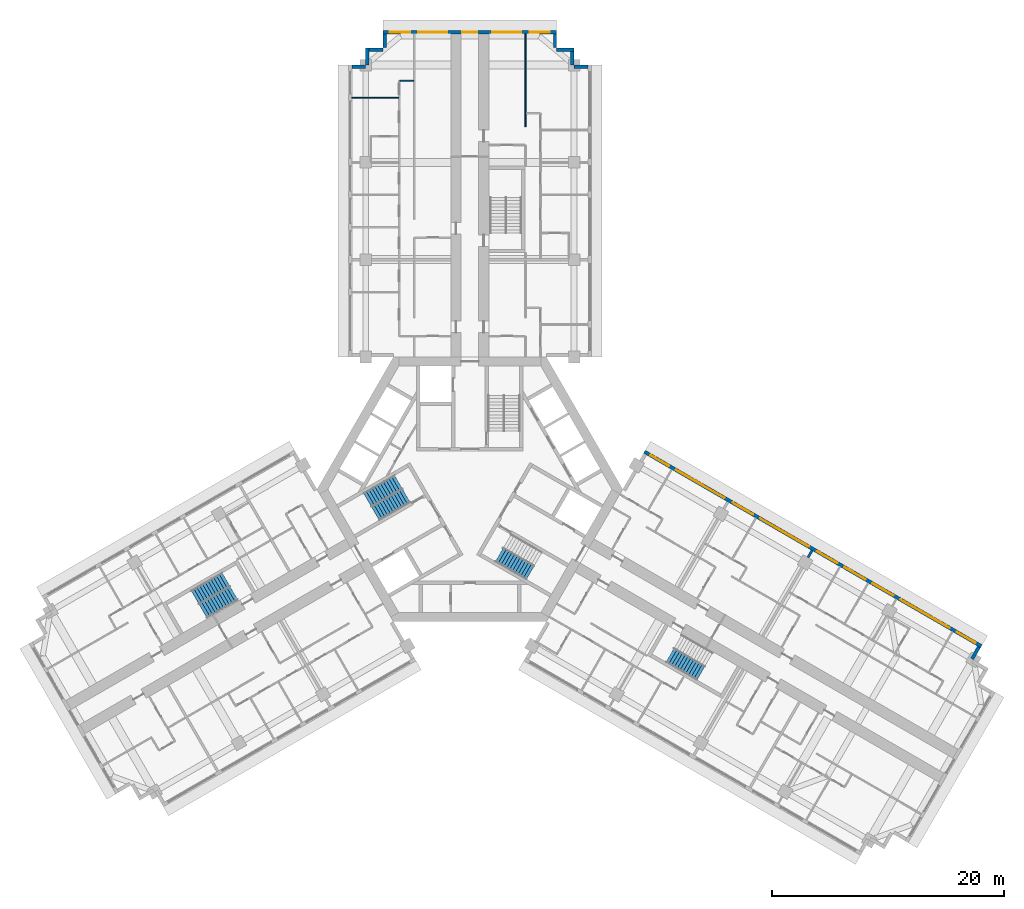
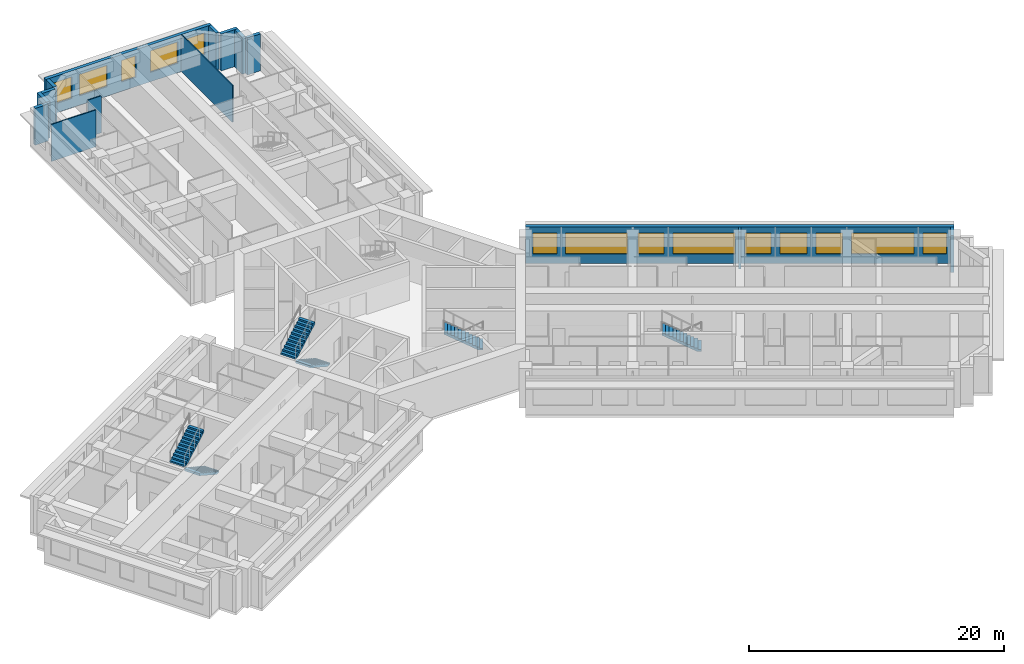
# One storey, part 12 of 14: 15 walls, 14 windows, 6 stair flights, 14 openings, 4 elements without a shape of their own.
"""IFC4 building model written with IfcOpenShell, lengths in metres."""

from ifc_helpers import new_model, si_unit, direction, frame, frame_2d, origin, place, context, subcontext, project, spatial, polyline, rectangle, outline, extrude, material, layer, layer_set, type_object, element, fill, aggregate, save


model = new_model("IFC4")

# Units and contexts
model_context = context("Model", 3, precision=1e-05, world=origin(), true_north=direction((0.0, 1.0)))
body_context = subcontext(model_context, "Body", "Model", "MODEL_VIEW")
ifc_project = project(units=[si_unit("LENGTHUNIT", "METRE"), si_unit("AREAUNIT", "SQUARE_METRE"), si_unit("VOLUMEUNIT", "CUBIC_METRE"), si_unit("PLANEANGLEUNIT", "RADIAN"), si_unit("MASSUNIT", "GRAM", prefix="KILO")], contexts=[model_context])

# Site, building, storey
site_placement = place(None, origin())
site = spatial("IfcSite", under=ifc_project, at=site_placement, CompositionType="ELEMENT")
building_placement = place(site_placement, origin())
building = spatial("IfcBuilding", under=site, at=building_placement, Name="Impinga Residences", CompositionType="ELEMENT")
storey_placement = place(building_placement, frame((0.0, 0.0, 154.75)))
storey = spatial("IfcBuildingStorey", under=building, at=storey_placement, Name="L38", CompositionType="ELEMENT", Elevation=154.75)

# Walls
ifc_material_1 = material(Name="Terracotta rainscreen on blockwork", Category="masonry")
ifc_layer_1 = layer(ifc_material_1, 0.300048828125)
ifc_layer_set_1 = layer_set([ifc_layer_1], Name="EW1 external wall, terracotta rainscreen on blockwork 300")
wall_type_1 = type_object("IfcWallType", Name="EW1 external wall, terracotta rainscreen on blockwork 300", PredefinedType="SOLIDWALL", material=ifc_layer_set_1)
wall_1_placement = place(storey_placement, frame((43.968505859375, -13.607421875, 0.0), z_axis=(0.0, 0.0, 1.0), x_axis=(-0.500029051137, -0.866008630453, 0.0)))
element("IfcWall", 1, at=wall_1_placement, inside=storey, type_object=wall_type_1, Name="External wall EW1 L38", PredefinedType="SOLIDWALL", context=body_context, shape_type="SweptSolid", body=[
    extrude(rectangle(XDim=1.19482421875, YDim=0.300048828125, at=frame_2d((0.597412109375, 0.0))), origin(), (0.0, 0.0, 1.0), 3.530029296875),
])
wall_2_placement = place(storey_placement, frame((-10.199951171875, 36.4814453125, 0.0), z_axis=(0.0, 0.0, 1.0), x_axis=(1.0, 0.0, 0.0)))
element("IfcWall", 2, at=wall_2_placement, inside=storey, type_object=wall_type_1, Name="External wall EW1 L38", PredefinedType="SOLIDWALL", context=body_context, shape_type="SweptSolid", body=[
    extrude(rectangle(XDim=1.199951171875, YDim=0.300048828125, at=frame_2d((0.60009765625, 0.0))), origin(), (0.0, 0.0, 1.0), 3.530029296875),
])
wall_3_placement = place(storey_placement, frame((-8.85009765625, 36.636474609375, 0.0), z_axis=(0.0, 0.0, 1.0), x_axis=(0.0, 1.0, 0.0)))
element("IfcWall", 3, at=wall_3_placement, inside=storey, type_object=wall_type_1, Name="External wall EW1 L38", PredefinedType="SOLIDWALL", context=body_context, shape_type="SweptSolid", body=[
    extrude(rectangle(XDim=1.4951171875, YDim=0.300048828125, at=frame_2d((0.74755859375, 0.0))), origin(), (0.0, 0.0, 1.0), 3.530029296875),
])
wall_4_placement = place(storey_placement, frame((-8.699951171875, 37.9814453125, 0.0), z_axis=(0.0, 0.0, 1.0), x_axis=(1.0, 0.0, 0.0)))
element("IfcWall", 4, at=wall_4_placement, inside=storey, type_object=wall_type_1, Name="External wall EW1 L38", PredefinedType="SOLIDWALL", context=body_context, shape_type="SweptSolid", body=[
    extrude(rectangle(XDim=1.199951171875, YDim=0.300048828125, at=frame_2d((0.60009765625, 0.0))), origin(), (0.0, 0.0, 1.0), 3.530029296875),
])
wall_5_placement = place(storey_placement, frame((-7.35009765625, 38.136474609375, 0.0), z_axis=(0.0, 0.0, 1.0), x_axis=(0.0, 1.0, 0.0)))
element("IfcWall", 5, at=wall_5_placement, inside=storey, type_object=wall_type_1, Name="External wall EW1 L38", PredefinedType="SOLIDWALL", context=body_context, shape_type="SweptSolid", body=[
    extrude(rectangle(XDim=1.195068359375, YDim=0.300048828125, at=frame_2d((0.59765625, 0.0))), origin(), (0.0, 0.0, 1.0), 3.530029296875),
])

# Wall, openings, windows
wall_6_placement = place(storey_placement, frame((-7.5, 39.4814453125, 0.0), z_axis=(0.0, 0.0, 1.0), x_axis=(1.0, 0.0, 0.0)))
wall_6 = element("IfcWall", 6, at=wall_6_placement, inside=storey, type_object=wall_type_1, Name="External wall EW1 L38", PredefinedType="SOLIDWALL", context=body_context, shape_type="SweptSolid", body=[
    extrude(rectangle(XDim=15.0, YDim=0.300048828125, at=frame_2d((7.5, 0.0))), origin(), (0.0, 0.0, 1.0), 3.530029296875),
])
opening_1_placement = place(wall_6_placement, frame((0.60009765625, 0.0, 0.89990234375)))
opening_1 = element("IfcOpeningElement", 7, at=opening_1_placement, cuts=wall_6, Name="Opening W1", PredefinedType="OPENING", context=body_context, shape_type="SweptSolid", body=[
    extrude(rectangle(XDim=1.75, YDim=2.050048828125, at=frame_2d((0.875, 1.02490234375))), frame((0.0, 0.159912109375, 0.0), z_axis=(0.0, -1.0, 0.0), x_axis=(1.0, 0.0, 0.0)), (0.0, 0.0, 1.0), 0.320068359375),
])
opening_2_placement = place(wall_6_placement, frame((3.050048828125, 0.0, 0.89990234375)))
opening_2 = element("IfcOpeningElement", 8, at=opening_2_placement, cuts=wall_6, Name="Opening W2", PredefinedType="OPENING", context=body_context, shape_type="SweptSolid", body=[
    extrude(rectangle(XDim=2.5, YDim=2.050048828125, at=frame_2d((1.25, 1.02490234375))), frame((0.0, 0.159912109375, 0.0), z_axis=(0.0, -1.0, 0.0), x_axis=(1.0, 0.0, 0.0)), (0.0, 0.0, 1.0), 0.320068359375),
])
opening_3_placement = place(wall_6_placement, frame((6.85009765625, 0.0, 0.89990234375)))
opening_3 = element("IfcOpeningElement", 9, at=opening_3_placement, cuts=wall_6, Name="Opening WE1", PredefinedType="OPENING", context=body_context, shape_type="SweptSolid", body=[
    extrude(rectangle(XDim=1.300048828125, YDim=2.050048828125, at=frame_2d((0.64990234375, 1.02490234375))), frame((0.0, 0.159912109375, 0.0), z_axis=(0.0, -1.0, 0.0), x_axis=(1.0, 0.0, 0.0)), (0.0, 0.0, 1.0), 0.320068359375),
])
opening_4_placement = place(wall_6_placement, frame((9.449951171875, 0.0, 0.89990234375)))
opening_4 = element("IfcOpeningElement", 10, at=opening_4_placement, cuts=wall_6, Name="Opening W2", PredefinedType="OPENING", context=body_context, shape_type="SweptSolid", body=[
    extrude(rectangle(XDim=2.5, YDim=2.050048828125, at=frame_2d((1.25, 1.02490234375))), frame((0.0, 0.159912109375, 0.0), z_axis=(0.0, -1.0, 0.0), x_axis=(1.0, 0.0, 0.0)), (0.0, 0.0, 1.0), 0.320068359375),
])
opening_5_placement = place(wall_6_placement, frame((12.64990234375, 0.0, 0.89990234375)))
opening_5 = element("IfcOpeningElement", 11, at=opening_5_placement, cuts=wall_6, Name="Opening W1", PredefinedType="OPENING", context=body_context, shape_type="SweptSolid", body=[
    extrude(rectangle(XDim=1.75, YDim=2.050048828125, at=frame_2d((0.875, 1.02490234375))), frame((0.0, 0.159912109375, 0.0), z_axis=(0.0, -1.0, 0.0), x_axis=(1.0, 0.0, 0.0)), (0.0, 0.0, 1.0), 0.320068359375),
])
ifc_material_2 = material(Name="Aluminium window, clear double glazing", Category="aluminium")
window_type_1 = type_object("IfcWindowType", Name="W1 ribbon window 1750x2050", PartitioningType="SINGLE_PANEL", PredefinedType="WINDOW", material=ifc_material_2)
window_1_placement = place(opening_1_placement, origin())
window_1 = element("IfcWindow", 12, at=window_1_placement, inside=storey, type_object=window_type_1, Name="Window L38", OverallHeight=2.050048828125, OverallWidth=1.75, PartitioningType="SINGLE_PANEL", PredefinedType="WINDOW", context=body_context, shape_type="SweptSolid", body=[
    extrude(rectangle(XDim=1.75, YDim=2.050048828125, at=frame_2d((0.875, 1.02490234375))), frame((0.0, 0.030029296875, 0.0), z_axis=(0.0, -1.0, 0.0), x_axis=(1.0, 0.0, 0.0)), (0.0, 0.0, 1.0), 0.06005859375),
])
fill(opening_1, window_1)
window_2_placement = place(opening_5_placement, origin())
window_2 = element("IfcWindow", 13, at=window_2_placement, inside=storey, type_object=window_type_1, Name="Window L38", OverallHeight=2.050048828125, OverallWidth=1.75, PartitioningType="SINGLE_PANEL", PredefinedType="WINDOW", context=body_context, shape_type="SweptSolid", body=[
    extrude(rectangle(XDim=1.75, YDim=2.050048828125, at=frame_2d((0.875, 1.02490234375))), frame((0.0, 0.030029296875, 0.0), z_axis=(0.0, -1.0, 0.0), x_axis=(1.0, 0.0, 0.0)), (0.0, 0.0, 1.0), 0.06005859375),
])
fill(opening_5, window_2)
window_type_2 = type_object("IfcWindowType", Name="W2 ribbon window 2500x2050", PartitioningType="SINGLE_PANEL", PredefinedType="WINDOW", material=ifc_material_2)
window_3_placement = place(opening_2_placement, origin())
window_3 = element("IfcWindow", 14, at=window_3_placement, inside=storey, type_object=window_type_2, Name="Window L38", OverallHeight=2.050048828125, OverallWidth=2.5, PartitioningType="SINGLE_PANEL", PredefinedType="WINDOW", context=body_context, shape_type="SweptSolid", body=[
    extrude(rectangle(XDim=2.5, YDim=2.050048828125, at=frame_2d((1.25, 1.02490234375))), frame((0.0, 0.030029296875, 0.0), z_axis=(0.0, -1.0, 0.0), x_axis=(1.0, 0.0, 0.0)), (0.0, 0.0, 1.0), 0.06005859375),
])
fill(opening_2, window_3)
window_4_placement = place(opening_4_placement, origin())
window_4 = element("IfcWindow", 15, at=window_4_placement, inside=storey, type_object=window_type_2, Name="Window L38", OverallHeight=2.050048828125, OverallWidth=2.5, PartitioningType="SINGLE_PANEL", PredefinedType="WINDOW", context=body_context, shape_type="SweptSolid", body=[
    extrude(rectangle(XDim=2.5, YDim=2.050048828125, at=frame_2d((1.25, 1.02490234375))), frame((0.0, 0.030029296875, 0.0), z_axis=(0.0, -1.0, 0.0), x_axis=(1.0, 0.0, 0.0)), (0.0, 0.0, 1.0), 0.06005859375),
])
fill(opening_4, window_4)
window_type_3 = type_object("IfcWindowType", Name="WE1 corridor window 1300x2050", PartitioningType="SINGLE_PANEL", PredefinedType="WINDOW", material=ifc_material_2)
window_5_placement = place(opening_3_placement, origin())
window_5 = element("IfcWindow", 16, at=window_5_placement, inside=storey, type_object=window_type_3, Name="Window L38", OverallHeight=2.050048828125, OverallWidth=1.300048828125, PartitioningType="SINGLE_PANEL", PredefinedType="WINDOW", context=body_context, shape_type="SweptSolid", body=[
    extrude(rectangle(XDim=1.300048828125, YDim=2.050048828125, at=frame_2d((0.64990234375, 1.02490234375))), frame((0.0, 0.030029296875, 0.0), z_axis=(0.0, -1.0, 0.0), x_axis=(1.0, 0.0, 0.0)), (0.0, 0.0, 1.0), 0.06005859375),
])
fill(opening_3, window_5)

# Walls
wall_7_placement = place(storey_placement, frame((7.35009765625, 39.33154296875, 0.0), z_axis=(0.0, 0.0, 1.0), x_axis=(0.0, -1.0, 0.0)))
element("IfcWall", 17, at=wall_7_placement, inside=storey, type_object=wall_type_1, Name="External wall EW1 L38", PredefinedType="SOLIDWALL", context=body_context, shape_type="SweptSolid", body=[
    extrude(rectangle(XDim=1.195068359375, YDim=0.300048828125, at=frame_2d((0.59765625, 0.0))), origin(), (0.0, 0.0, 1.0), 3.530029296875),
])
wall_8_placement = place(storey_placement, frame((7.5, 37.9814453125, 0.0), z_axis=(0.0, 0.0, 1.0), x_axis=(1.0, 0.0, 0.0)))
element("IfcWall", 18, at=wall_8_placement, inside=storey, type_object=wall_type_1, Name="External wall EW1 L38", PredefinedType="SOLIDWALL", context=body_context, shape_type="SweptSolid", body=[
    extrude(rectangle(XDim=1.5, YDim=0.300048828125, at=frame_2d((0.75, 0.0))), origin(), (0.0, 0.0, 1.0), 3.530029296875),
])
wall_9_placement = place(storey_placement, frame((8.85009765625, 37.83154296875, 0.0), z_axis=(0.0, 0.0, 1.0), x_axis=(0.0, -1.0, 0.0)))
element("IfcWall", 19, at=wall_9_placement, inside=storey, type_object=wall_type_1, Name="External wall EW1 L38", PredefinedType="SOLIDWALL", context=body_context, shape_type="SweptSolid", body=[
    extrude(rectangle(XDim=1.199951171875, YDim=0.300048828125, at=frame_2d((0.60009765625, 0.0))), origin(), (0.0, 0.0, 1.0), 3.530029296875),
])
wall_10_placement = place(storey_placement, frame((9.0048828125, 36.4814453125, 0.0), z_axis=(0.0, 0.0, 1.0), x_axis=(1.0, 0.0, 0.0)))
element("IfcWall", 20, at=wall_10_placement, inside=storey, type_object=wall_type_1, Name="External wall EW1 L38", PredefinedType="SOLIDWALL", context=body_context, shape_type="SweptSolid", body=[
    extrude(rectangle(XDim=1.195068359375, YDim=0.300048828125, at=frame_2d((0.59765625, 0.0))), origin(), (0.0, 0.0, 1.0), 3.530029296875),
])

# Wall, openings, windows
wall_11_placement = place(storey_placement, frame((15.074951171875, 3.24755859375, 0.0), z_axis=(0.0, 0.0, 1.0), x_axis=(0.866024291668, -0.500001926238, 0.0)))
wall_11 = element("IfcWall", 21, at=wall_11_placement, inside=storey, type_object=wall_type_1, Name="External wall EW1 L38", PredefinedType="SOLIDWALL", context=body_context, shape_type="SweptSolid", body=[
    extrude(rectangle(XDim=33.599853515625, YDim=0.300048828125, at=frame_2d((16.7998046875, 0.0))), origin(), (0.0, 0.0, 1.0), 3.530029296875),
])
opening_6_placement = place(wall_11_placement, frame((0.60009765625, 0.0, 0.89990234375)))
opening_6 = element("IfcOpeningElement", 22, at=opening_6_placement, cuts=wall_11, Name="Opening W15", PredefinedType="OPENING", context=body_context, shape_type="SweptSolid", body=[
    extrude(rectangle(XDim=1.85009765625, YDim=2.050048828125, at=frame_2d((0.925048828125, 1.02490234375))), frame((0.0, 0.159912109375, 0.0), z_axis=(0.0, -1.0, 0.0), x_axis=(1.0, 0.0, 0.0)), (0.0, 0.0, 1.0), 0.320068359375),
])
opening_7_placement = place(wall_11_placement, frame((3.14990234375, 0.0, 0.89990234375)))
opening_7 = element("IfcOpeningElement", 23, at=opening_7_placement, cuts=wall_11, Name="Opening W6", PredefinedType="OPENING", context=body_context, shape_type="SweptSolid", body=[
    extrude(rectangle(XDim=4.85009765625, YDim=2.050048828125, at=frame_2d((2.425048828125, 1.02490234375))), frame((0.0, 0.159912109375, 0.0), z_axis=(0.0, -1.0, 0.0), x_axis=(1.0, 0.0, 0.0)), (0.0, 0.0, 1.0), 0.320068359375),
])
opening_8_placement = place(wall_11_placement, frame((8.800048828125, 0.0, 0.89990234375)))
opening_8 = element("IfcOpeningElement", 24, at=opening_8_placement, cuts=wall_11, Name="Opening W14", PredefinedType="OPENING", context=body_context, shape_type="SweptSolid", body=[
    extrude(rectangle(XDim=2.050048828125, YDim=2.050048828125, at=frame_2d((1.02490234375, 1.02490234375))), frame((0.0, 0.159912109375, 0.0), z_axis=(0.0, -1.0, 0.0), x_axis=(1.0, 0.0, 0.0)), (0.0, 0.0, 1.0), 0.320068359375),
])
opening_9_placement = place(wall_11_placement, frame((11.550048828125, 0.0, 0.89990234375)))
opening_9 = element("IfcOpeningElement", 25, at=opening_9_placement, cuts=wall_11, Name="Opening W6", PredefinedType="OPENING", context=body_context, shape_type="SweptSolid", body=[
    extrude(rectangle(XDim=4.85009765625, YDim=2.050048828125, at=frame_2d((2.425048828125, 1.02490234375))), frame((0.0, 0.159912109375, 0.0), z_axis=(0.0, -1.0, 0.0), x_axis=(1.0, 0.0, 0.0)), (0.0, 0.0, 1.0), 0.320068359375),
])
opening_10_placement = place(wall_11_placement, frame((17.199951171875, 0.0, 0.89990234375)))
opening_10 = element("IfcOpeningElement", 26, at=opening_10_placement, cuts=wall_11, Name="Opening W14", PredefinedType="OPENING", context=body_context, shape_type="SweptSolid", body=[
    extrude(rectangle(XDim=2.050048828125, YDim=2.050048828125, at=frame_2d((1.02490234375, 1.02490234375))), frame((0.0, 0.159912109375, 0.0), z_axis=(0.0, -1.0, 0.0), x_axis=(1.0, 0.0, 0.0)), (0.0, 0.0, 1.0), 0.320068359375),
])
opening_11_placement = place(wall_11_placement, frame((19.949951171875, 0.0, 0.89990234375)))
opening_11 = element("IfcOpeningElement", 27, at=opening_11_placement, cuts=wall_11, Name="Opening W9", PredefinedType="OPENING", context=body_context, shape_type="SweptSolid", body=[
    extrude(rectangle(XDim=2.10009765625, YDim=2.050048828125, at=frame_2d((1.050048828125, 1.02490234375))), frame((0.0, 0.159912109375, 0.0), z_axis=(0.0, -1.0, 0.0), x_axis=(1.0, 0.0, 0.0)), (0.0, 0.0, 1.0), 0.320068359375),
])
opening_12_placement = place(wall_11_placement, frame((22.75, 0.0, 0.89990234375)))
opening_12 = element("IfcOpeningElement", 28, at=opening_12_placement, cuts=wall_11, Name="Opening W9", PredefinedType="OPENING", context=body_context, shape_type="SweptSolid", body=[
    extrude(rectangle(XDim=2.10009765625, YDim=2.050048828125, at=frame_2d((1.050048828125, 1.02490234375))), frame((0.0, 0.159912109375, 0.0), z_axis=(0.0, -1.0, 0.0), x_axis=(1.0, 0.0, 0.0)), (0.0, 0.0, 1.0), 0.320068359375),
])
opening_13_placement = place(wall_11_placement, frame((25.550048828125, 0.0, 0.89990234375)))
opening_13 = element("IfcOpeningElement", 29, at=opening_13_placement, cuts=wall_11, Name="Opening W16", PredefinedType="OPENING", context=body_context, shape_type="SweptSolid", body=[
    extrude(rectangle(XDim=4.89990234375, YDim=2.050048828125, at=frame_2d((2.449951171875, 1.02490234375))), frame((0.0, 0.159912109375, 0.0), z_axis=(0.0, -1.0, 0.0), x_axis=(1.0, 0.0, 0.0)), (0.0, 0.0, 1.0), 0.320068359375),
])
opening_14_placement = place(wall_11_placement, frame((31.14990234375, 0.0, 0.89990234375)))
opening_14 = element("IfcOpeningElement", 30, at=opening_14_placement, cuts=wall_11, Name="Opening W15", PredefinedType="OPENING", context=body_context, shape_type="SweptSolid", body=[
    extrude(rectangle(XDim=1.85009765625, YDim=2.050048828125, at=frame_2d((0.925048828125, 1.02490234375))), frame((0.0, 0.159912109375, 0.0), z_axis=(0.0, -1.0, 0.0), x_axis=(1.0, 0.0, 0.0)), (0.0, 0.0, 1.0), 0.320068359375),
])
window_type_4 = type_object("IfcWindowType", Name="W14 ribbon window 2050x2050", PartitioningType="SINGLE_PANEL", PredefinedType="WINDOW", material=ifc_material_2)
window_6_placement = place(opening_8_placement, origin())
window_6 = element("IfcWindow", 31, at=window_6_placement, inside=storey, type_object=window_type_4, Name="Window L38", OverallHeight=2.050048828125, OverallWidth=2.050048828125, PartitioningType="SINGLE_PANEL", PredefinedType="WINDOW", context=body_context, shape_type="SweptSolid", body=[
    extrude(rectangle(XDim=2.050048828125, YDim=2.050048828125, at=frame_2d((1.02490234375, 1.02490234375))), frame((0.0, 0.030029296875, 0.0), z_axis=(0.0, -1.0, 0.0), x_axis=(1.0, 0.0, 0.0)), (0.0, 0.0, 1.0), 0.06005859375),
])
fill(opening_8, window_6)
window_7_placement = place(opening_10_placement, origin())
window_7 = element("IfcWindow", 32, at=window_7_placement, inside=storey, type_object=window_type_4, Name="Window L38", OverallHeight=2.050048828125, OverallWidth=2.050048828125, PartitioningType="SINGLE_PANEL", PredefinedType="WINDOW", context=body_context, shape_type="SweptSolid", body=[
    extrude(rectangle(XDim=2.050048828125, YDim=2.050048828125, at=frame_2d((1.02490234375, 1.02490234375))), frame((0.0, 0.030029296875, 0.0), z_axis=(0.0, -1.0, 0.0), x_axis=(1.0, 0.0, 0.0)), (0.0, 0.0, 1.0), 0.06005859375),
])
fill(opening_10, window_7)
window_type_5 = type_object("IfcWindowType", Name="W15 ribbon window 1850x2050", PartitioningType="SINGLE_PANEL", PredefinedType="WINDOW", material=ifc_material_2)
window_8_placement = place(opening_6_placement, origin())
window_8 = element("IfcWindow", 33, at=window_8_placement, inside=storey, type_object=window_type_5, Name="Window L38", OverallHeight=2.050048828125, OverallWidth=1.85009765625, PartitioningType="SINGLE_PANEL", PredefinedType="WINDOW", context=body_context, shape_type="SweptSolid", body=[
    extrude(rectangle(XDim=1.85009765625, YDim=2.050048828125, at=frame_2d((0.925048828125, 1.02490234375))), frame((0.0, 0.030029296875, 0.0), z_axis=(0.0, -1.0, 0.0), x_axis=(1.0, 0.0, 0.0)), (0.0, 0.0, 1.0), 0.06005859375),
])
fill(opening_6, window_8)
window_9_placement = place(opening_14_placement, origin())
window_9 = element("IfcWindow", 34, at=window_9_placement, inside=storey, type_object=window_type_5, Name="Window L38", OverallHeight=2.050048828125, OverallWidth=1.85009765625, PartitioningType="SINGLE_PANEL", PredefinedType="WINDOW", context=body_context, shape_type="SweptSolid", body=[
    extrude(rectangle(XDim=1.85009765625, YDim=2.050048828125, at=frame_2d((0.925048828125, 1.02490234375))), frame((0.0, 0.030029296875, 0.0), z_axis=(0.0, -1.0, 0.0), x_axis=(1.0, 0.0, 0.0)), (0.0, 0.0, 1.0), 0.06005859375),
])
fill(opening_14, window_9)
window_type_6 = type_object("IfcWindowType", Name="W16 ribbon window 4900x2050", PartitioningType="SINGLE_PANEL", PredefinedType="WINDOW", material=ifc_material_2)
window_10_placement = place(opening_13_placement, origin())
window_10 = element("IfcWindow", 35, at=window_10_placement, inside=storey, type_object=window_type_6, Name="Window L38", OverallHeight=2.050048828125, OverallWidth=4.89990234375, PartitioningType="SINGLE_PANEL", PredefinedType="WINDOW", context=body_context, shape_type="SweptSolid", body=[
    extrude(rectangle(XDim=4.89990234375, YDim=2.050048828125, at=frame_2d((2.449951171875, 1.02490234375))), frame((0.0, 0.030029296875, 0.0), z_axis=(0.0, -1.0, 0.0), x_axis=(1.0, 0.0, 0.0)), (0.0, 0.0, 1.0), 0.06005859375),
])
fill(opening_13, window_10)
window_type_7 = type_object("IfcWindowType", Name="W6 ribbon window 4850x2050", PartitioningType="SINGLE_PANEL", PredefinedType="WINDOW", material=ifc_material_2)
window_11_placement = place(opening_7_placement, origin())
window_11 = element("IfcWindow", 36, at=window_11_placement, inside=storey, type_object=window_type_7, Name="Window L38", OverallHeight=2.050048828125, OverallWidth=4.85009765625, PartitioningType="SINGLE_PANEL", PredefinedType="WINDOW", context=body_context, shape_type="SweptSolid", body=[
    extrude(rectangle(XDim=4.85009765625, YDim=2.050048828125, at=frame_2d((2.425048828125, 1.02490234375))), frame((0.0, 0.030029296875, 0.0), z_axis=(0.0, -1.0, 0.0), x_axis=(1.0, 0.0, 0.0)), (0.0, 0.0, 1.0), 0.06005859375),
])
fill(opening_7, window_11)
window_12_placement = place(opening_9_placement, origin())
window_12 = element("IfcWindow", 37, at=window_12_placement, inside=storey, type_object=window_type_7, Name="Window L38", OverallHeight=2.050048828125, OverallWidth=4.85009765625, PartitioningType="SINGLE_PANEL", PredefinedType="WINDOW", context=body_context, shape_type="SweptSolid", body=[
    extrude(rectangle(XDim=4.85009765625, YDim=2.050048828125, at=frame_2d((2.425048828125, 1.02490234375))), frame((0.0, 0.030029296875, 0.0), z_axis=(0.0, -1.0, 0.0), x_axis=(1.0, 0.0, 0.0)), (0.0, 0.0, 1.0), 0.06005859375),
])
fill(opening_9, window_12)
window_type_8 = type_object("IfcWindowType", Name="W9 ribbon window 2100x2050", PartitioningType="SINGLE_PANEL", PredefinedType="WINDOW", material=ifc_material_2)
window_13_placement = place(opening_11_placement, origin())
window_13 = element("IfcWindow", 38, at=window_13_placement, inside=storey, type_object=window_type_8, Name="Window L38", OverallHeight=2.050048828125, OverallWidth=2.10009765625, PartitioningType="SINGLE_PANEL", PredefinedType="WINDOW", context=body_context, shape_type="SweptSolid", body=[
    extrude(rectangle(XDim=2.10009765625, YDim=2.050048828125, at=frame_2d((1.050048828125, 1.02490234375))), frame((0.0, 0.030029296875, 0.0), z_axis=(0.0, -1.0, 0.0), x_axis=(1.0, 0.0, 0.0)), (0.0, 0.0, 1.0), 0.06005859375),
])
fill(opening_11, window_13)
window_14_placement = place(opening_12_placement, origin())
window_14 = element("IfcWindow", 39, at=window_14_placement, inside=storey, type_object=window_type_8, Name="Window L38", OverallHeight=2.050048828125, OverallWidth=2.10009765625, PartitioningType="SINGLE_PANEL", PredefinedType="WINDOW", context=body_context, shape_type="SweptSolid", body=[
    extrude(rectangle(XDim=2.10009765625, YDim=2.050048828125, at=frame_2d((1.050048828125, 1.02490234375))), frame((0.0, 0.030029296875, 0.0), z_axis=(0.0, -1.0, 0.0), x_axis=(1.0, 0.0, 0.0)), (0.0, 0.0, 1.0), 0.06005859375),
])
fill(opening_12, window_14)

# Walls
ifc_material_3 = material(Name="Gypsum board on steel studs", Category="steel")
ifc_layer_2 = layer(ifc_material_3, 0.10009765625)
ifc_layer_set_2 = layer_set([ifc_layer_2], Name="Gypsum board on steel studs")
wall_type_2 = type_object("IfcWallType", Name="IP1 partition 100", PredefinedType="PARTITIONING", material=ifc_layer_set_2)
wall_12_placement = place(storey_placement, frame((-4.85009765625, 35.281494140625, 0.0), z_axis=(0.0, 0.0, 1.0), x_axis=(-1.0, 0.0, 0.0)))
element("IfcWall", 40, at=wall_12_placement, inside=storey, type_object=wall_type_2, Name="Partition L38-NA2:SE1", PredefinedType="PARTITIONING", context=body_context, shape_type="SweptSolid", body=[
    extrude(rectangle(XDim=1.199951171875, YDim=0.10009765625, at=frame_2d((0.60009765625, 0.0))), origin(), (0.0, 0.0, 1.0), 3.530029296875),
])
wall_13_placement = place(storey_placement, frame((-6.14990234375, 33.83154296875, 0.0), z_axis=(0.0, 0.0, 1.0), x_axis=(-1.0, 0.0, 0.0)))
element("IfcWall", 41, at=wall_13_placement, inside=storey, type_object=wall_type_2, Name="Partition L38-NA2:OB4", PredefinedType="PARTITIONING", context=body_context, shape_type="SweptSolid", body=[
    extrude(rectangle(XDim=4.050048828125, YDim=0.10009765625, at=frame_2d((2.02490234375, 0.0))), origin(), (0.0, 0.0, 1.0), 3.530029296875),
])
wall_14_placement = place(storey_placement, frame((4.800048828125, 31.33154296875, 0.0), z_axis=(0.0, 0.0, 1.0), x_axis=(0.0, 1.0, 0.0)))
element("IfcWall", 42, at=wall_14_placement, inside=storey, type_object=wall_type_2, Name="Partition L38-NF2:DIV2", PredefinedType="PARTITIONING", context=body_context, shape_type="SweptSolid", body=[
    extrude(rectangle(XDim=8.0, YDim=0.10009765625, at=frame_2d((4.0, 0.0))), origin(), (0.0, 0.0, 1.0), 3.530029296875),
])
ifc_material_4 = material(Name="Concrete blockwork", Category="masonry")
ifc_layer_3 = layer(ifc_material_4, 0.199951171875)
ifc_layer_set_3 = layer_set([ifc_layer_3], Name="PW1 party wall between apartments 200")
wall_type_3 = type_object("IfcWallType", Name="PW1 party wall between apartments 200", PredefinedType="SOLIDWALL", material=ifc_layer_set_3)
wall_15_placement = place(storey_placement, frame((29.19921875, -5.888427734375, 0.0), z_axis=(0.0, 0.0, 1.0), x_axis=(0.500114896893, 0.865959057869, 0.0)))
element("IfcWall", 43, at=wall_15_placement, inside=storey, type_object=wall_type_3, Name="Party wall between apartments L38-EA2:PARTYb", PredefinedType="SOLIDWALL", context=body_context, shape_type="SweptSolid", body=[
    extrude(rectangle(XDim=0.699951171875, YDim=0.199951171875, at=frame_2d((0.35009765625, 0.0))), origin(), (0.0, 0.0, 1.0), 3.530029296875),
])

# Stair, stair flights
ifc_material_5 = material(Name="Concrete C40/50", Category="concrete")
stair_type_1 = type_object("IfcStairType", Name="STR core stair 3750 storey, 24 risers", PredefinedType="HALF_TURN_STAIR", material=ifc_material_5)
stair_1_placement = place(storey_placement, origin())
stair_1 = element("IfcStair", 44, at=stair_1_placement, inside=storey, type_object=stair_type_1, Name="Stair ST2 L38", PredefinedType="HALF_TURN_STAIR")
stair_flight_type = type_object("IfcStairFlightType", Name="SF 12 risers of 156", PredefinedType="STRAIGHT", material=ifc_material_5)
stair_flight_1_placement = place(storey_placement, frame((-5.49365234375, -0.544677734375, 0.0), z_axis=(0.0, 0.0, 1.0), x_axis=(-0.866025403784, -0.5, 0.0)))
stair_flight_1 = element("IfcStairFlight", 45, at=stair_flight_1_placement, type_object=stair_flight_type, Name="ST2 flight 1", NumberOfRisers=12, NumberOfTreads=11, PredefinedType="STRAIGHT", RiserHeight=0.15625, TreadLength=0.28, context=body_context, shape_type="SweptSolid", body=[
    extrude(outline(polyline([(0.0, 0.0), (0.0, 0.15625), (0.280029296875, 0.15625), (0.280029296875, 0.3125), (0.56005859375, 0.3125), (0.56005859375, 0.46875), (0.840087890625, 0.46875), (0.840087890625, 0.625), (1.1201171875, 0.625), (1.1201171875, 0.78125), (1.39990234375, 0.78125), (1.39990234375, 0.9375), (1.679931640625, 0.9375), (1.679931640625, 1.09375), (1.9599609375, 1.09375), (1.9599609375, 1.25), (2.239990234375, 1.25), (2.239990234375, 1.40625), (2.52001953125, 1.40625), (2.52001953125, 1.5625), (2.800048828125, 1.5625), (2.800048828125, 1.71875), (3.080078125, 1.71875), (3.080078125, 1.875), (3.080078125, 1.5126953125), (0.369140625, 0.0), (0.0, 0.0)])), frame((0.0, 0.675048828125, 0.0), z_axis=(0.0, -1.0, 0.0), x_axis=(1.0, 0.0, 0.0)), (0.0, 0.0, 1.0), 1.35009765625),
])
stair_flight_2_placement = place(storey_placement, frame((-8.8359375, -0.915771484375, 1.875), z_axis=(0.0, 0.0, 1.0), x_axis=(0.866025403784, 0.5, 0.0)))
stair_flight_2 = element("IfcStairFlight", 46, at=stair_flight_2_placement, type_object=stair_flight_type, Name="ST2 flight 2", NumberOfRisers=12, NumberOfTreads=11, PredefinedType="STRAIGHT", RiserHeight=0.15625, TreadLength=0.28, context=body_context, shape_type="SweptSolid", body=[
    extrude(outline(polyline([(0.0, 0.0), (0.0, 0.15625), (0.280029296875, 0.15625), (0.280029296875, 0.3125), (0.56005859375, 0.3125), (0.56005859375, 0.46875), (0.840087890625, 0.46875), (0.840087890625, 0.625), (1.1201171875, 0.625), (1.1201171875, 0.78125), (1.39990234375, 0.78125), (1.39990234375, 0.9375), (1.679931640625, 0.9375), (1.679931640625, 1.09375), (1.9599609375, 1.09375), (1.9599609375, 1.25), (2.239990234375, 1.25), (2.239990234375, 1.40625), (2.52001953125, 1.40625), (2.52001953125, 1.5625), (2.800048828125, 1.5625), (2.800048828125, 1.71875), (3.080078125, 1.71875), (3.080078125, 1.875), (3.080078125, 1.5126953125), (0.369140625, 0.0), (0.0, 0.0)])), frame((0.0, 0.675048828125, 0.0), z_axis=(0.0, -1.0, 0.0), x_axis=(1.0, 0.0, 0.0)), (0.0, 0.0, 1.0), 1.35009765625),
])
aggregate(stair_1, [stair_flight_1, stair_flight_2])

# Stair, stair flight
stair_2_placement = place(storey_placement, origin())
stair_2 = element("IfcStair", 47, at=stair_2_placement, inside=storey, type_object=stair_type_1, Name="Stair ST3 L38", PredefinedType="HALF_TURN_STAIR")
stair_flight_3_placement = place(storey_placement, frame((5.2109375, -7.1943359375, 1.875), z_axis=(0.0, 0.0, 1.0), x_axis=(-0.866025403784, 0.5, 0.0)))
stair_flight_3 = element("IfcStairFlight", 48, at=stair_flight_3_placement, type_object=stair_flight_type, Name="ST3 flight 2", NumberOfRisers=12, NumberOfTreads=11, PredefinedType="STRAIGHT", RiserHeight=0.15625, TreadLength=0.28, context=body_context, shape_type="SweptSolid", body=[
    extrude(outline(polyline([(0.0, 0.0), (0.0, 0.15625), (0.280029296875, 0.15625), (0.280029296875, 0.3125), (0.56005859375, 0.3125), (0.56005859375, 0.46875), (0.840087890625, 0.46875), (0.840087890625, 0.625), (1.1201171875, 0.625), (1.1201171875, 0.78125), (1.39990234375, 0.78125), (1.39990234375, 0.9375), (1.679931640625, 0.9375), (1.679931640625, 1.09375), (1.9599609375, 1.09375), (1.9599609375, 1.25), (2.239990234375, 1.25), (2.239990234375, 1.40625), (2.52001953125, 1.40625), (2.52001953125, 1.5625), (2.800048828125, 1.5625), (2.800048828125, 1.71875), (3.080078125, 1.71875), (3.080078125, 1.875), (3.080078125, 1.5126953125), (0.369140625, 0.0), (0.0, 0.0)])), frame((0.0, 0.675048828125, 0.0), z_axis=(0.0, -1.0, 0.0), x_axis=(1.0, 0.0, 0.0)), (0.0, 0.0, 1.0), 1.35009765625),
])
aggregate(stair_2, [stair_flight_3])

# Stair, stair flights
stair_type_2 = type_object("IfcStairType", Name="STR wing stair 3750 storey, 24 risers", PredefinedType="HALF_TURN_STAIR", material=ifc_material_5)
stair_3_placement = place(storey_placement, origin())
stair_3 = element("IfcStair", 49, at=stair_3_placement, inside=storey, type_object=stair_type_2, Name="Stair WS2 L38", PredefinedType="HALF_TURN_STAIR")
stair_flight_4_placement = place(storey_placement, frame((-20.37890625, -8.965576171875, 0.0), z_axis=(0.0, 0.0, 1.0), x_axis=(-0.866025403784, -0.5, 0.0)))
stair_flight_4 = element("IfcStairFlight", 50, at=stair_flight_4_placement, type_object=stair_flight_type, Name="WS2 flight 1", NumberOfRisers=12, NumberOfTreads=11, PredefinedType="STRAIGHT", RiserHeight=0.15625, TreadLength=0.28, context=body_context, shape_type="SweptSolid", body=[
    extrude(outline(polyline([(0.0, 0.0), (0.0, 0.15625), (0.280029296875, 0.15625), (0.280029296875, 0.3125), (0.56005859375, 0.3125), (0.56005859375, 0.46875), (0.840087890625, 0.46875), (0.840087890625, 0.625), (1.1201171875, 0.625), (1.1201171875, 0.78125), (1.39990234375, 0.78125), (1.39990234375, 0.9375), (1.679931640625, 0.9375), (1.679931640625, 1.09375), (1.9599609375, 1.09375), (1.9599609375, 1.25), (2.239990234375, 1.25), (2.239990234375, 1.40625), (2.52001953125, 1.40625), (2.52001953125, 1.5625), (2.800048828125, 1.5625), (2.800048828125, 1.71875), (3.080078125, 1.71875), (3.080078125, 1.875), (3.080078125, 1.5126953125), (0.369140625, 0.0), (0.0, 0.0)])), frame((0.0, 0.675048828125, 0.0), z_axis=(0.0, -1.0, 0.0), x_axis=(1.0, 0.0, 0.0)), (0.0, 0.0, 1.0), 1.35009765625),
])
stair_flight_5_placement = place(storey_placement, frame((-23.721435546875, -9.33642578125, 1.875), z_axis=(0.0, 0.0, 1.0), x_axis=(0.866025403784, 0.5, 0.0)))
stair_flight_5 = element("IfcStairFlight", 51, at=stair_flight_5_placement, type_object=stair_flight_type, Name="WS2 flight 2", NumberOfRisers=12, NumberOfTreads=11, PredefinedType="STRAIGHT", RiserHeight=0.15625, TreadLength=0.28, context=body_context, shape_type="SweptSolid", body=[
    extrude(outline(polyline([(0.0, 0.0), (0.0, 0.15625), (0.280029296875, 0.15625), (0.280029296875, 0.3125), (0.56005859375, 0.3125), (0.56005859375, 0.46875), (0.840087890625, 0.46875), (0.840087890625, 0.625), (1.1201171875, 0.625), (1.1201171875, 0.78125), (1.39990234375, 0.78125), (1.39990234375, 0.9375), (1.679931640625, 0.9375), (1.679931640625, 1.09375), (1.9599609375, 1.09375), (1.9599609375, 1.25), (2.239990234375, 1.25), (2.239990234375, 1.40625), (2.52001953125, 1.40625), (2.52001953125, 1.5625), (2.800048828125, 1.5625), (2.800048828125, 1.71875), (3.080078125, 1.71875), (3.080078125, 1.875), (3.080078125, 1.5126953125), (0.369140625, 0.0), (0.0, 0.0)])), frame((0.0, 0.675048828125, 0.0), z_axis=(0.0, -1.0, 0.0), x_axis=(1.0, 0.0, 0.0)), (0.0, 0.0, 1.0), 1.35009765625),
])
aggregate(stair_3, [stair_flight_4, stair_flight_5])

# Stair, stair flight
stair_4_placement = place(storey_placement, origin())
stair_4 = element("IfcStair", 52, at=stair_4_placement, inside=storey, type_object=stair_type_2, Name="Stair WS3 L38", PredefinedType="HALF_TURN_STAIR")
stair_flight_6_placement = place(storey_placement, frame((19.9462890625, -15.875, 1.875), z_axis=(0.0, 0.0, 1.0), x_axis=(-0.866025403784, 0.5, 0.0)))
stair_flight_6 = element("IfcStairFlight", 53, at=stair_flight_6_placement, type_object=stair_flight_type, Name="WS3 flight 2", NumberOfRisers=12, NumberOfTreads=11, PredefinedType="STRAIGHT", RiserHeight=0.15625, TreadLength=0.28, context=body_context, shape_type="SweptSolid", body=[
    extrude(outline(polyline([(0.0, 0.0), (0.0, 0.15625), (0.280029296875, 0.15625), (0.280029296875, 0.3125), (0.56005859375, 0.3125), (0.56005859375, 0.46875), (0.840087890625, 0.46875), (0.840087890625, 0.625), (1.1201171875, 0.625), (1.1201171875, 0.78125), (1.39990234375, 0.78125), (1.39990234375, 0.9375), (1.679931640625, 0.9375), (1.679931640625, 1.09375), (1.9599609375, 1.09375), (1.9599609375, 1.25), (2.239990234375, 1.25), (2.239990234375, 1.40625), (2.52001953125, 1.40625), (2.52001953125, 1.5625), (2.800048828125, 1.5625), (2.800048828125, 1.71875), (3.080078125, 1.71875), (3.080078125, 1.875), (3.080078125, 1.5126953125), (0.369140625, 0.0), (0.0, 0.0)])), frame((0.0, 0.675048828125, 0.0), z_axis=(0.0, -1.0, 0.0), x_axis=(1.0, 0.0, 0.0)), (0.0, 0.0, 1.0), 1.35009765625),
])
aggregate(stair_4, [stair_flight_6])

save(model, "model.ifc")
